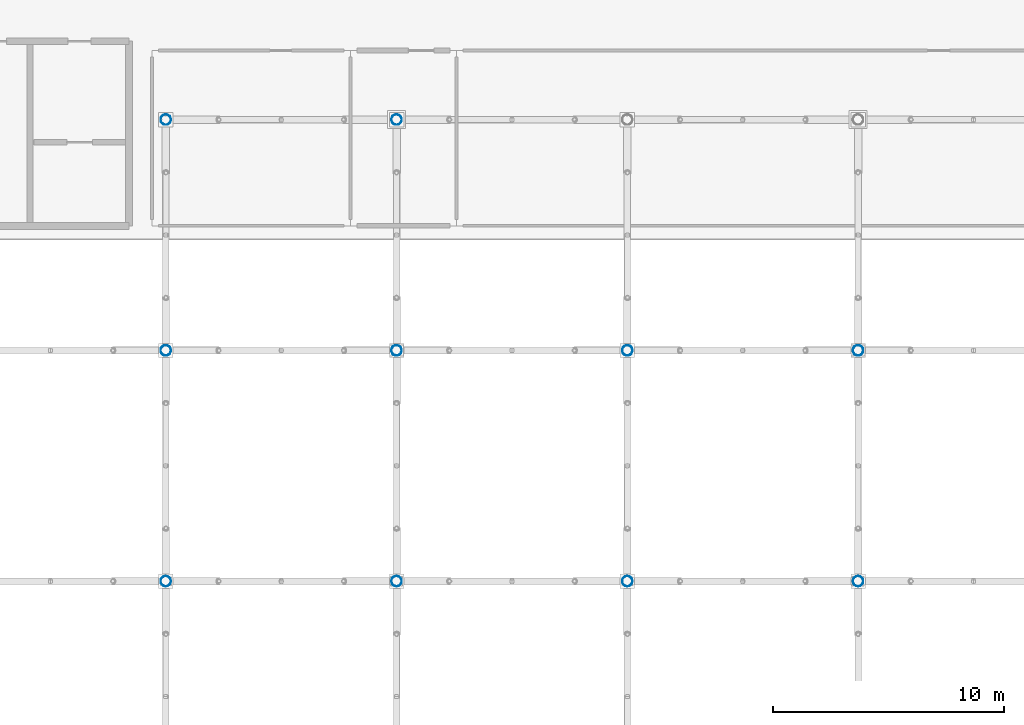
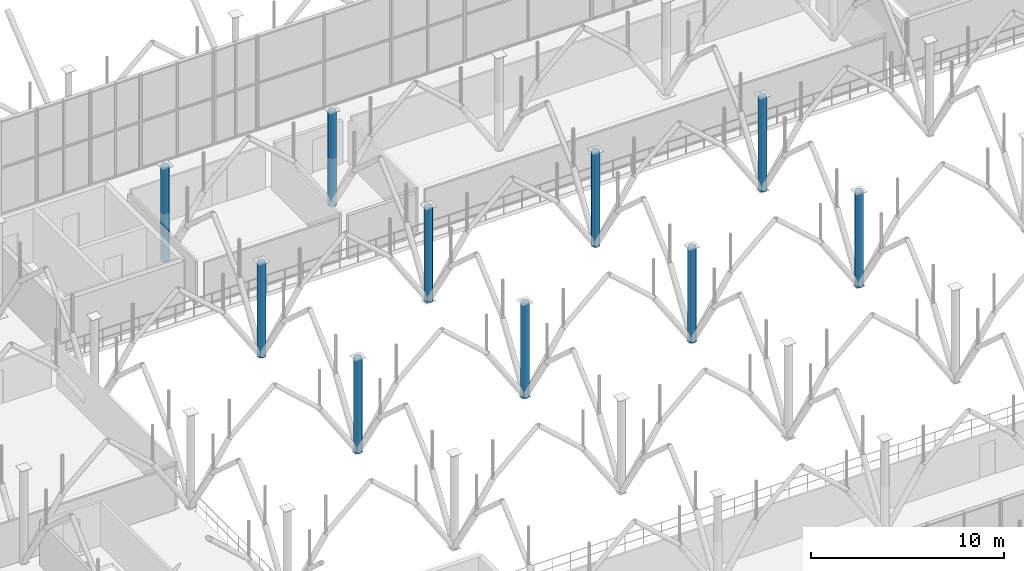
# One storey, part 6 of 109: 10 columns.
"""IFC4 building model written with IfcOpenShell, lengths in metres."""

import ifcopenshell
import ifcopenshell.guid

model = None  # the IFC model being written
_history = None  # IfcOwnerHistory: only IFC2X3 demands one
_inside = {}  # id of a spatial element -> (the spatial element, [elements in it])
_under = {}  # id of a project, library or spatial element -> (it, [spatial elements below it])
_declared = {}  # id of a project -> (the project, [libraries it declares])
_typed = {}  # id of a type object -> (the type object, [elements of that type])
_made_of = {}  # id of a material, layer set ... -> (it, [elements and type objects made of it])


def new_model(schema):
    """Start an empty IFC model of exactly this schema.

    Asked for "IFC4X3", IfcOpenShell would pick the latest addendum, in which some entities
    have other attributes; the version numbers below select the first issue.
    IFC2X3 requires an IfcOwnerHistory on every rooted entity: one is made here for all.
    """
    global model, _history
    if schema == "IFC4X3":
        model = ifcopenshell.file(schema_version=(4, 3, 0, 0))
    else:
        model = ifcopenshell.file(schema=schema)
    _inside.clear()
    _under.clear()
    _declared.clear()
    _typed.clear()
    _made_of.clear()
    _history = None
    if model.schema == "IFC2X3":
        org = make("IfcOrganization", Name="unknown")
        user = make(
            "IfcPersonAndOrganization",
            ThePerson=make("IfcPerson", FamilyName="unknown"),
            TheOrganization=org,
        )
        app = make(
            "IfcApplication",
            ApplicationDeveloper=org,
            Version="unknown",
            ApplicationFullName="unknown",
            ApplicationIdentifier="unknown",
        )
        _history = make(
            "IfcOwnerHistory",
            OwningUser=user,
            OwningApplication=app,
            ChangeAction="ADDED",
            CreationDate=0,
        )
    return model


def make(cls, **values):
    """One entity of the class cls with the attributes given. An attribute that is None is left unset."""
    return model.create_entity(
        cls, **{name: value for name, value in values.items() if value is not None}
    )


def rooted(cls, **values):
    """An entity with a GlobalId (a new one), such as an element, a storey or a relation."""
    return make(cls, GlobalId=ifcopenshell.guid.new(), OwnerHistory=_history, **values)


def si_unit(unit_type, name, prefix=None):
    """IfcSIUnit, for example si_unit("LENGTHUNIT", "METRE", prefix="MILLI")."""
    return make("IfcSIUnit", UnitType=unit_type, Prefix=prefix, Name=name)


def derived_unit(unit_type, elements):
    """IfcDerivedUnit: a product of units, each with its exponent."""
    return make(
        "IfcDerivedUnit",
        Elements=[
            make("IfcDerivedUnitElement", Unit=unit, Exponent=power)
            for unit, power in elements
        ],
        UnitType=unit_type,
    )


def assignment(units):
    """IfcUnitAssignment: the units of a project."""
    return None if units is None else make("IfcUnitAssignment", Units=units)


def point(xyz):
    """IfcCartesianPoint."""
    return None if xyz is None else make("IfcCartesianPoint", Coordinates=xyz)


def direction(xyz):
    """IfcDirection."""
    return None if xyz is None else make("IfcDirection", DirectionRatios=xyz)


def frame(location, z_axis=None, x_axis=None):
    """IfcAxis2Placement3D, a coordinate frame: its origin and axes. An axis left out is left unset."""
    return make(
        "IfcAxis2Placement3D",
        Location=point(location),
        Axis=direction(z_axis),
        RefDirection=direction(x_axis),
    )


def frame_2d(location, x_axis=None):
    """IfcAxis2Placement2D, a coordinate frame in the plane: its origin and x axis."""
    return make(
        "IfcAxis2Placement2D", Location=point(location), RefDirection=direction(x_axis)
    )


def origin():
    """The frame at (0, 0, 0) with its axes left unset."""
    return frame((0.0, 0.0, 0.0))


def origin_2d_with_axis():
    """The frame at (0, 0) in the plane with the x axis (1, 0) written out."""
    return frame_2d((0.0, 0.0), x_axis=(1.0, 0.0))


def place(relative_to, where):
    """IfcLocalPlacement: puts the frame where relative to a parent placement (None: the world)."""
    return make(
        "IfcLocalPlacement", PlacementRelTo=relative_to, RelativePlacement=where
    )


def context(
    kind, dimensions, precision=None, world=None, true_north=None, identifier=None
):
    """IfcGeometricRepresentationContext, for example the 3D "Model" context."""
    return make(
        "IfcGeometricRepresentationContext",
        ContextIdentifier=identifier,
        ContextType=kind,
        CoordinateSpaceDimension=dimensions,
        Precision=precision,
        WorldCoordinateSystem=world,
        TrueNorth=true_north,
    )


def subcontext(parent, identifier, kind, view, scale=None):
    """IfcGeometricRepresentationSubContext, for example "Body" below "Model"."""
    return make(
        "IfcGeometricRepresentationSubContext",
        ContextIdentifier=identifier,
        ContextType=kind,
        ParentContext=parent,
        TargetScale=scale,
        TargetView=view,
    )


def project(units=None, contexts=None):
    """IfcProject with its units and contexts."""
    return rooted(
        "IfcProject",
        Name="project",
        RepresentationContexts=contexts,
        UnitsInContext=assignment(units),
    )


def spatial(cls, under=None, at=None, **own):
    """A site, building, storey or space (cls), placed at a placement, below another one or the project."""
    s = rooted(cls, ObjectPlacement=at, **own)
    if under is not None:
        _under.setdefault(under.id(), (under, []))[1].append(s)
    return s


def profile(cls, at=None, kind="AREA", **sizes):
    """A parametric profile (cls). Its sizes go by their IFC names, for example OverallWidth=200.0."""
    return make(cls, ProfileType=kind, Position=at, **sizes)


def hollow_circle(**sizes):
    """IfcCircleHollowProfileDef."""
    return profile("IfcCircleHollowProfileDef", **sizes)


def extrude(swept, where, along, depth):
    """IfcExtrudedAreaSolid: the profile swept, set in the frame where, extruded along a direction by depth."""
    return make(
        "IfcExtrudedAreaSolid",
        SweptArea=swept,
        Position=where,
        ExtrudedDirection=direction(along),
        Depth=depth,
    )


def shape(context_of_items, identifier, shape_type, items):
    """IfcShapeRepresentation: the items that make up one representation, for example the "Body"."""
    return make(
        "IfcShapeRepresentation",
        ContextOfItems=context_of_items,
        RepresentationIdentifier=identifier,
        RepresentationType=shape_type,
        Items=items,
    )


def material(Name=None, Category=None):
    """IfcMaterial."""
    return make("IfcMaterial", Name=Name, Category=Category)


def material_profile(
    of_material, cross_section, Name=None, Category=None, Priority=None
):
    """IfcMaterialProfile: a cross section and its material."""
    return make(
        "IfcMaterialProfile",
        Name=Name,
        Material=of_material,
        Profile=cross_section,
        Priority=Priority,
        Category=Category,
    )


def profile_set(profiles, Name=None, composite=None):
    """IfcMaterialProfileSet."""
    return make(
        "IfcMaterialProfileSet",
        Name=Name,
        MaterialProfiles=profiles,
        CompositeProfile=composite,
    )


def made_of(thing, what):
    """Note that an element or type object is made of a material, layer set ...; save() writes the relation."""
    if what is not None:
        _made_of.setdefault(what.id(), (what, []))[1].append(thing)
    return thing


def type_object(cls, material=None, **own):
    """A type object (cls), such as IfcWallType, which elements share."""
    return made_of(rooted(cls, **own), material)


def element(
    cls,
    number,
    at=None,
    inside=None,
    cuts=None,
    type_object=None,
    material=None,
    context=None,
    identifier="Body",
    shape_type=None,
    held_by="IfcProductDefinitionShape",
    body=None,
    shapes=None,
    **own,
):
    """One element of the class cls, such as IfcWall. Its Tag is "e" and its number.

    at: its placement. inside: the storey or other place that contains it. cuts: it is an
    opening in that element (IfcRelVoidsElement). A single representation is given by context,
    identifier, shape_type and body (its items); several are given by shapes. held_by: the class
    of the entity that holds the representations. save() writes the other relations.
    """
    e = rooted(cls, Tag="e%d" % number, ObjectPlacement=at, **own)
    if body is not None:
        shapes = [shape(context, identifier, shape_type, body)]
    if shapes is not None:
        e.Representation = make(held_by, Representations=shapes)
    if inside is not None:
        _inside.setdefault(inside.id(), (inside, []))[1].append(e)
    if cuts is not None:
        rooted(
            "IfcRelVoidsElement", RelatingBuildingElement=cuts, RelatedOpeningElement=e
        )
    if type_object is not None:
        _typed.setdefault(type_object.id(), (type_object, []))[1].append(e)
    return made_of(e, material)


def aggregate(whole, parts):
    """IfcRelAggregates: a whole, such as a stair, and the parts it consists of."""
    return rooted("IfcRelAggregates", RelatingObject=whole, RelatedObjects=parts)


def save(model, path):
    """Write the relations noted so far, then the file.

    IfcRelAggregates (storeys below a building ...), IfcRelContainedInSpatialStructure (elements
    in a storey), IfcRelDefinesByType, IfcRelAssociatesMaterial and IfcRelDeclares: one each for
    every whole, place, type object, material and project.
    """
    for whole, parts in _under.values():
        aggregate(whole, parts)
    for where, things in _inside.values():
        rooted(
            "IfcRelContainedInSpatialStructure",
            RelatedElements=things,
            RelatingStructure=where,
        )
    for kind, things in _typed.values():
        rooted("IfcRelDefinesByType", RelatedObjects=things, RelatingType=kind)
    for what, things in _made_of.values():
        rooted("IfcRelAssociatesMaterial", RelatedObjects=things, RelatingMaterial=what)
    for by, libraries in _declared.values():
        rooted("IfcRelDeclares", RelatingContext=by, RelatedDefinitions=libraries)
    model.write(path)


model = new_model("IFC4")

# Units and contexts
model_context = context("Model", 3, precision=1e-05, world=origin(), true_north=direction((0.0, 1.0)))
body_context = subcontext(model_context, "Body", "Model", "MODEL_VIEW")
ifc_project = project(units=[si_unit("LENGTHUNIT", "METRE"), si_unit("AREAUNIT", "SQUARE_METRE"), si_unit("VOLUMEUNIT", "CUBIC_METRE"), si_unit("PLANEANGLEUNIT", "RADIAN"), si_unit("MASSUNIT", "GRAM", prefix="KILO"), derived_unit("THERMALTRANSMITTANCEUNIT", [(si_unit("POWERUNIT", "WATT"), 1), (si_unit("LENGTHUNIT", "METRE"), -2), (si_unit("THERMODYNAMICTEMPERATUREUNIT", "KELVIN"), -1)])], contexts=[model_context])

# Site, building, storey
site_placement = place(None, origin())
site = spatial("IfcSite", under=ifc_project, at=site_placement, CompositionType="ELEMENT")
building_placement = place(site_placement, origin())
building = spatial("IfcBuilding", under=site, at=building_placement, Name="Cinnabar Yard Market Hall", CompositionType="ELEMENT")
storey_placement = place(building_placement, frame((0.0, 0.0, 8.39990234375)))
storey = spatial("IfcBuildingStorey", under=building, at=storey_placement, Name="L02", CompositionType="ELEMENT", Elevation=8.39990234375)

# Columns
ifc_material = material(Name="Spotted-gum glulam-clad steel Grade 350 (350 MPa)", Category="steel")
ifc_material_profile = material_profile(ifc_material, hollow_circle(Radius=0.228515625, WallThickness=0.0126953125, at=origin_2d_with_axis()), Name="457.0x12.7CHS")
ifc_profile_set = profile_set([ifc_material_profile], Name="Spotted-gum glulam-clad steel Grade 350 (350 MPa)")
column_type = type_object("IfcColumnType", Name="COL-C01", PredefinedType="COLUMN", material=ifc_profile_set)
for number, where, z_axis, x_axis, name in (
    (1, (96.0, 44.0, 0.0), (0.0, 0.0, 1.0), (1.0, 0.0, 0.0), "Tree Column V1I-03-03 L02"),
    (2, (96.0, 54.0, 0.0), (0.0, 0.0, 1.0), (1.0, 0.0, 0.0), "Tree Column V1I-03-04 L02"),
    (3, (96.0, 64.0, 0.0), (0.0, 0.0, 1.0), (1.0, 0.0, 0.0), "Tree Column V1I-03-05 L02"),
    (4, (106.0, 44.0, 0.0), (0.0, 0.0, 1.0), (1.0, 0.0, 0.0), "Tree Column V1I-04-03 L02"),
    (5, (106.0, 54.0, 0.0), (0.0, 0.0, 1.0), (1.0, 0.0, 0.0), "Tree Column V1I-04-04 L02"),
    (6, (106.0, 64.0, 0.0), (0.0, 0.0, 1.0), (1.0, 0.0, 0.0), "Tree Column V1I-04-05 L02"),
    (7, (116.0, 44.0, 0.0), (0.0, 0.0, 1.0), (1.0, 0.0, 0.0), "Tree Column V1I-05-03 L02"),
    (8, (116.0, 54.0, 0.0), (0.0, 0.0, 1.0), (1.0, 0.0, 0.0), "Tree Column V1I-05-04 L02"),
    (9, (126.0, 44.0, 0.0), (0.0, 0.0, 1.0), (1.0, 0.0, 0.0), "Tree Column V1I-06-03 L02"),
    (10, (126.0, 54.0, 0.0), (0.0, 0.0, 1.0), (1.0, 0.0, 0.0), "Tree Column V1I-06-04 L02"),
):
    element("IfcColumn", number, at=place(storey_placement, frame(where, z_axis=z_axis, x_axis=x_axis)), inside=storey, type_object=column_type, Name=name, PredefinedType="COLUMN", context=body_context, shape_type="SweptSolid", body=[
        extrude(hollow_circle(Radius=0.228515625, WallThickness=0.0126953125, at=origin_2d_with_axis()), origin(), (0.0, 0.0, 1.0), 6.0),
    ])

save(model, "model.ifc")
